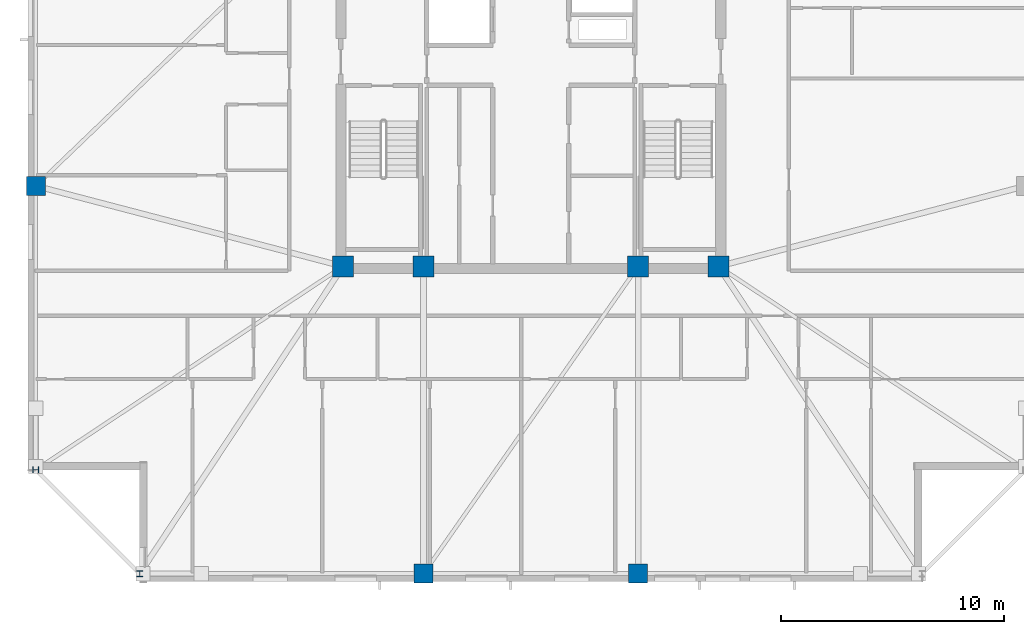
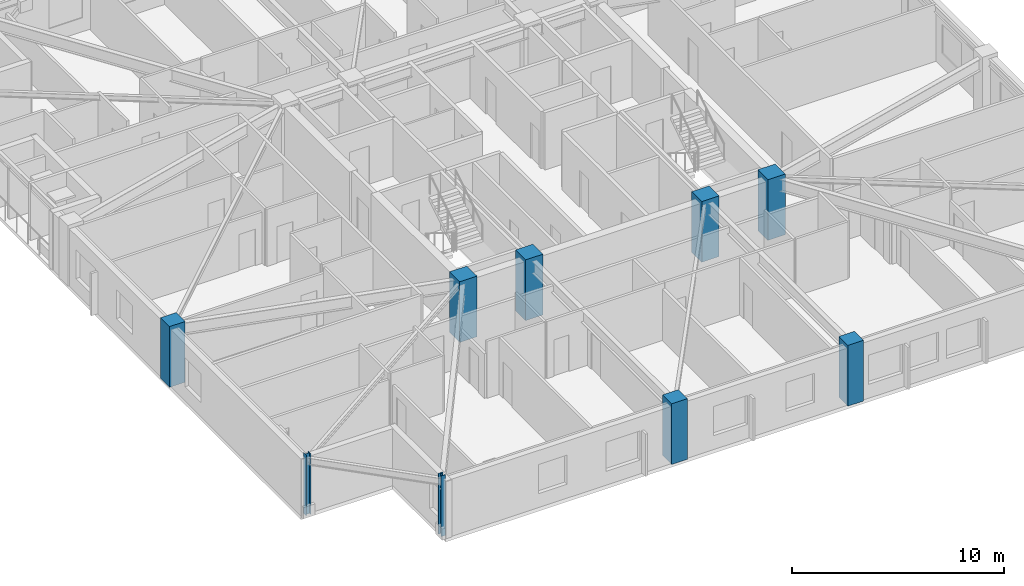
# One storey, part 1 of 17: 9 columns.
"""IFC4 building model written with IfcOpenShell, lengths in metres."""

from ifc_helpers import new_model, si_unit, direction, frame, origin, origin_2d, place, context, subcontext, project, spatial, rectangle, i_section, extrude, material, material_profile, profile_set, type_object, element, save


model = new_model("IFC4")

# Units and contexts
model_context = context("Model", 3, precision=1e-05, world=origin(), true_north=direction((0.0, 1.0)))
body_context = subcontext(model_context, "Body", "Model", "MODEL_VIEW")
ifc_project = project(units=[si_unit("LENGTHUNIT", "METRE"), si_unit("AREAUNIT", "SQUARE_METRE"), si_unit("VOLUMEUNIT", "CUBIC_METRE"), si_unit("PLANEANGLEUNIT", "RADIAN"), si_unit("MASSUNIT", "GRAM", prefix="KILO")], contexts=[model_context])

# Site, building, storey
site_placement = place(None, origin())
site = spatial("IfcSite", under=ifc_project, at=site_placement, CompositionType="ELEMENT")
building_placement = place(site_placement, origin())
building = spatial("IfcBuilding", under=site, at=building_placement, Name="Cairnveth Concourse Tower", CompositionType="ELEMENT")
storey_placement = place(building_placement, frame((0.0, 0.0, 230.5)))
storey = spatial("IfcBuildingStorey", under=building, at=storey_placement, Name="L63", CompositionType="ELEMENT", Elevation=230.5)

# Columns
ifc_material_1 = material(Name="Concrete N65 (65 MPa)", Category="concrete")
ifc_material_profile_1 = material_profile(ifc_material_1, rectangle(XDim=0.949951171875, YDim=0.949951171875, at=origin_2d()), Name="RC-COL-950x950")
ifc_profile_set_1 = profile_set([ifc_material_profile_1], Name="Concrete N65 (65 MPa)")
column_type_1 = type_object("IfcColumnType", Name="CORE COLUMN 950X950", PredefinedType="COLUMN", material=ifc_profile_set_1)
for number, where, z_axis, x_axis, name in (
    (1, (43.60009765625, 30.60009765625, 0.0), (0.0, 0.0, 1.0), (1.0, 0.0, 0.0), "Column CC1 L63"),
    (2, (47.199951171875, 30.60009765625, 0.0), (0.0, 0.0, 1.0), (1.0, 0.0, 0.0), "Column CC2 L63"),
    (3, (56.800048828125, 30.60009765625, 0.0), (0.0, 0.0, 1.0), (1.0, 0.0, 0.0), "Column CC3 L63"),
    (4, (60.39990234375, 30.60009765625, 0.0), (0.0, 0.0, 1.0), (1.0, 0.0, 0.0), "Column CC4 L63"),
):
    element("IfcColumn", number, at=place(storey_placement, frame(where, z_axis=z_axis, x_axis=x_axis)), inside=storey, type_object=column_type_1, Name=name, PredefinedType="COLUMN", context=body_context, shape_type="SweptSolid", body=[
        extrude(rectangle(XDim=0.949951171875, YDim=0.949951171875, at=origin_2d()), origin(), (0.0, 0.0, 1.0), 3.5),
    ])
ifc_material_profile_2 = material_profile(ifc_material_1, rectangle(XDim=0.85009765625, YDim=0.85009765625, at=origin_2d()), Name="RC-COL-850x850")
ifc_profile_set_2 = profile_set([ifc_material_profile_2], Name="Concrete N65 (65 MPa)")
column_type_2 = type_object("IfcColumnType", Name="PERIMETER PIER COLUMN 850X850", PredefinedType="COLUMN", material=ifc_profile_set_2)
for number, where, z_axis, x_axis, name in (
    (5, (47.199951171875, 16.85009765625, 0.0), (0.0, 0.0, 1.0), (1.0, 0.0, 0.0), "Column P-S2 L63"),
    (6, (56.800048828125, 16.85009765625, 0.0), (0.0, 0.0, 1.0), (1.0, 0.0, 0.0), "Column P-S3 L63"),
    (7, (29.85009765625, 34.199951171875, 0.0), (0.0, 0.0, 1.0), (0.0, 1.0, 0.0), "Column P-W3 L63"),
):
    element("IfcColumn", number, at=place(storey_placement, frame(where, z_axis=z_axis, x_axis=x_axis)), inside=storey, type_object=column_type_2, Name=name, PredefinedType="COLUMN", context=body_context, shape_type="SweptSolid", body=[
        extrude(rectangle(XDim=0.85009765625, YDim=0.85009765625, at=origin_2d()), origin(), (0.0, 0.0, 1.0), 3.5),
    ])
ifc_material_2 = material(Name="Steel Grade 350", Category="steel")
ifc_material_profile_3 = material_profile(ifc_material_2, i_section(OverallWidth=0.256103515625, OverallDepth=0.260009765625, WebThickness=0.010498046875, FlangeThickness=0.017333984375, FilletRadius=0.012939453125, at=origin_2d()), Name="250UC89.5")
ifc_profile_set_3 = profile_set([ifc_material_profile_3], Name="Steel Grade 350")
column_type_3 = type_object("IfcColumnType", Name="UNIVERSAL STEEL COLUMN 250UC89.5", PredefinedType="COLUMN", material=ifc_profile_set_3)
for number, where, z_axis, x_axis, name in (
    (8, (34.5, 16.85009765625, 0.0), (0.0, 0.0, 1.0), (1.0, 0.0, 0.0), "Column P-S1 L63"),
    (9, (29.85009765625, 21.5, 0.0), (0.0, 0.0, 1.0), (0.0, 1.0, 0.0), "Column P-W4 L63"),
):
    element("IfcColumn", number, at=place(storey_placement, frame(where, z_axis=z_axis, x_axis=x_axis)), inside=storey, type_object=column_type_3, Name=name, PredefinedType="COLUMN", context=body_context, shape_type="SweptSolid", body=[
        extrude(i_section(OverallWidth=0.256103515625, OverallDepth=0.260009765625, WebThickness=0.010498046875, FlangeThickness=0.017333984375, FilletRadius=0.012939453125, at=origin_2d()), origin(), (0.0, 0.0, 1.0), 3.5),
    ])

save(model, "model.ifc")
